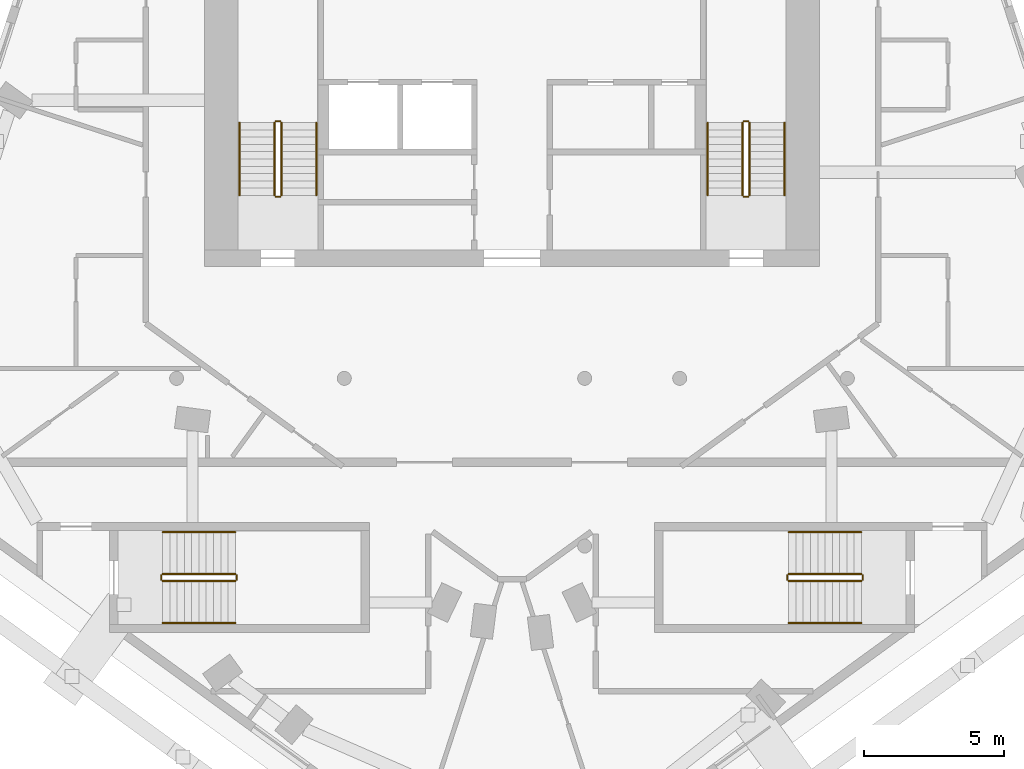
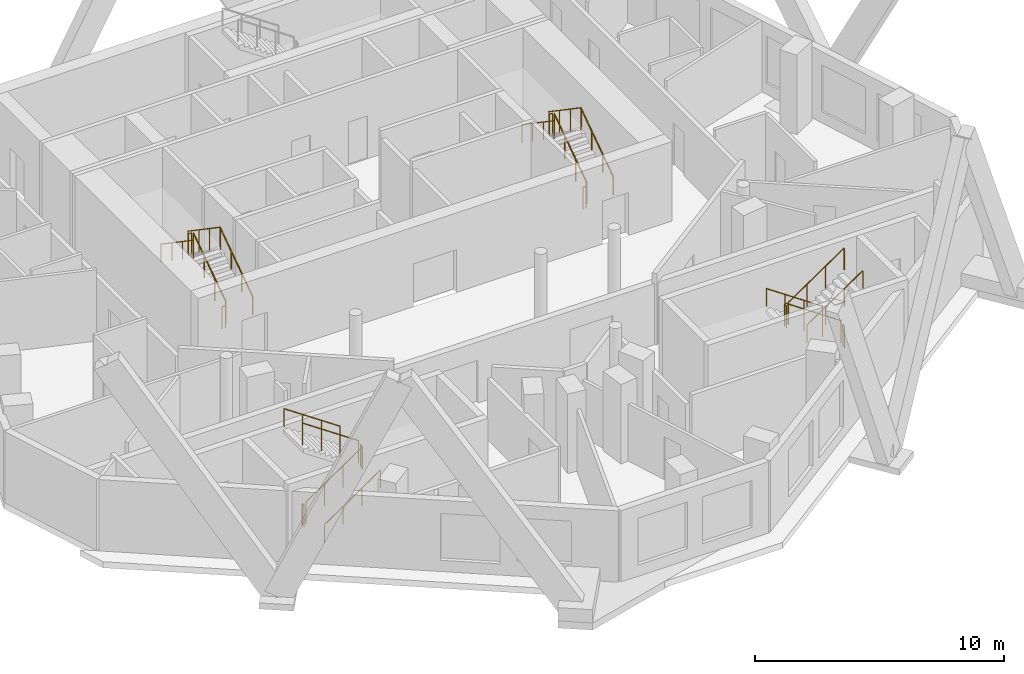
# One storey, part 7 of 8: 24 railings.
"""IFC4 building model written with IfcOpenShell, lengths in metres."""

from ifc_helpers import new_model, si_unit, direction, frame, origin, origin_2d, place, context, subcontext, project, spatial, circle, extrude, material, type_object, element, save


model = new_model("IFC4")

# Units and contexts
model_context = context("Model", 3, precision=1e-05, world=origin(), true_north=direction((0.0, 1.0)))
body_context = subcontext(model_context, "Body", "Model", "MODEL_VIEW")
ifc_project = project(units=[si_unit("LENGTHUNIT", "METRE"), si_unit("AREAUNIT", "SQUARE_METRE"), si_unit("VOLUMEUNIT", "CUBIC_METRE"), si_unit("PLANEANGLEUNIT", "RADIAN"), si_unit("MASSUNIT", "GRAM", prefix="KILO")], contexts=[model_context])

# Site, building, storey
site_placement = place(None, origin())
site = spatial("IfcSite", under=ifc_project, at=site_placement, CompositionType="ELEMENT")
building_placement = place(site_placement, origin())
building = spatial("IfcBuilding", under=site, at=building_placement, Name="White Candle Pilgrim Tower", CompositionType="ELEMENT")
storey_placement = place(building_placement, frame((0.0, 0.0, 317.800048828125)))
storey = spatial("IfcBuildingStorey", under=building, at=storey_placement, Name="L75", CompositionType="ELEMENT", Elevation=317.800048828125)

# Railings
ifc_material = material(Name="Stainless steel", Category="steel")
railing_type_1 = type_object("IfcRailingType", Name="Stair guard stainless steel 1100 mm", PredefinedType="GUARDRAIL", material=ifc_material)
railing_1_placement = place(storey_placement, frame((61.75, 73.550048828125, 0.17724609375)))
element("IfcRailing", 1, at=railing_1_placement, inside=storey, type_object=railing_type_1, Name="L75 ST1 stair guard 1", PredefinedType="GUARDRAIL", context=body_context, shape_type="SweptSolid", body=[
    extrude(circle(Radius=0.02392578125, at=origin_2d()), frame((0.0, 0.0, 1.076171875), z_axis=(0.0, 0.826215852431, 0.563353676824), x_axis=(-1.0, 0.0, 0.0)), (0.0, 0.0, 1.0), 3.146728515625),
    extrude(circle(Radius=0.02099609375, at=origin_2d()), origin(), (0.0, 0.0, 1.0), 1.052001953125),
    extrude(circle(Radius=0.02099609375, at=origin_2d()), frame((0.0, 0.86669921875, 0.5908203125)), (0.0, 0.0, 1.0), 1.052001953125),
    extrude(circle(Radius=0.02099609375, at=origin_2d()), frame((0.0, 1.733154296875, 1.181884765625)), (0.0, 0.0, 1.0), 1.052001953125),
    extrude(circle(Radius=0.02099609375, at=origin_2d()), frame((0.0, 2.599853515625, 1.772705078125)), (0.0, 0.0, 1.0), 1.052001953125),
])
railing_2_placement = place(storey_placement, frame((61.699951171875, 76.199951171875, 1.949951171875)))
element("IfcRailing", 2, at=railing_2_placement, inside=storey, type_object=railing_type_1, Name="L75 ST1 stair guard 2", PredefinedType="GUARDRAIL", context=body_context, shape_type="SweptSolid", body=[
    extrude(circle(Radius=0.02392578125, at=origin_2d()), frame((0.0, 0.0, 1.076171875), z_axis=(-1.0, 0.0, 0.0), x_axis=(0.0, -1.0, 0.0)), (0.0, 0.0, 1.0), 0.14990234375),
    extrude(circle(Radius=0.02099609375, at=origin_2d()), origin(), (0.0, 0.0, 1.0), 1.052001953125),
    extrude(circle(Radius=0.02099609375, at=origin_2d()), frame((-0.14990234375, 0.0, 0.0)), (0.0, 0.0, 1.0), 1.052001953125),
])
railing_3_placement = place(storey_placement, frame((61.5, 76.14990234375, 2.127197265625)))
element("IfcRailing", 3, at=railing_3_placement, inside=storey, type_object=railing_type_1, Name="L75 ST1 stair guard 3", PredefinedType="GUARDRAIL", context=body_context, shape_type="SweptSolid", body=[
    extrude(circle(Radius=0.02392578125, at=origin_2d()), frame((0.0, 0.0, 1.076171875), z_axis=(0.0, -0.826215852431, 0.563353676824), x_axis=(1.0, 0.0, 0.0)), (0.0, 0.0, 1.0), 3.146728515625),
    extrude(circle(Radius=0.02099609375, at=origin_2d()), origin(), (0.0, 0.0, 1.0), 1.052001953125),
    extrude(circle(Radius=0.02099609375, at=origin_2d()), frame((0.0, -0.86669921875, 0.5908203125)), (0.0, 0.0, 1.0), 1.052001953125),
    extrude(circle(Radius=0.02099609375, at=origin_2d()), frame((0.0, -1.733154296875, 1.181884765625)), (0.0, 0.0, 1.0), 1.052001953125),
    extrude(circle(Radius=0.02099609375, at=origin_2d()), frame((0.0, -2.599853515625, 1.772705078125)), (0.0, 0.0, 1.0), 1.052001953125),
])
railing_4_placement = place(storey_placement, frame((61.699951171875, 73.5, 0.0)))
element("IfcRailing", 4, at=railing_4_placement, inside=storey, type_object=railing_type_1, Name="L75 ST1 stair guard 4", PredefinedType="GUARDRAIL", context=body_context, shape_type="SweptSolid", body=[
    extrude(circle(Radius=0.02392578125, at=origin_2d()), frame((0.0, 0.0, 1.076171875), z_axis=(-1.0, 0.0, 0.0), x_axis=(0.0, -1.0, 0.0)), (0.0, 0.0, 1.0), 0.14990234375),
    extrude(circle(Radius=0.02099609375, at=origin_2d()), origin(), (0.0, 0.0, 1.0), 1.052001953125),
    extrude(circle(Radius=0.02099609375, at=origin_2d()), frame((-0.14990234375, 0.0, 0.0)), (0.0, 0.0, 1.0), 1.052001953125),
])
railing_5_placement = place(storey_placement, frame((78.5, 73.550048828125, 0.17724609375)))
element("IfcRailing", 5, at=railing_5_placement, inside=storey, type_object=railing_type_1, Name="L75 ST2 stair guard 1", PredefinedType="GUARDRAIL", context=body_context, shape_type="SweptSolid", body=[
    extrude(circle(Radius=0.02392578125, at=origin_2d()), frame((0.0, 0.0, 1.076171875), z_axis=(0.0, 0.826215852431, 0.563353676824), x_axis=(-1.0, 0.0, 0.0)), (0.0, 0.0, 1.0), 3.146728515625),
    extrude(circle(Radius=0.02099609375, at=origin_2d()), origin(), (0.0, 0.0, 1.0), 1.052001953125),
    extrude(circle(Radius=0.02099609375, at=origin_2d()), frame((0.0, 0.86669921875, 0.5908203125)), (0.0, 0.0, 1.0), 1.052001953125),
    extrude(circle(Radius=0.02099609375, at=origin_2d()), frame((0.0, 1.733154296875, 1.181884765625)), (0.0, 0.0, 1.0), 1.052001953125),
    extrude(circle(Radius=0.02099609375, at=origin_2d()), frame((0.0, 2.599853515625, 1.772705078125)), (0.0, 0.0, 1.0), 1.052001953125),
])
railing_6_placement = place(storey_placement, frame((78.449951171875, 76.199951171875, 1.949951171875)))
element("IfcRailing", 6, at=railing_6_placement, inside=storey, type_object=railing_type_1, Name="L75 ST2 stair guard 2", PredefinedType="GUARDRAIL", context=body_context, shape_type="SweptSolid", body=[
    extrude(circle(Radius=0.02392578125, at=origin_2d()), frame((0.0, 0.0, 1.076171875), z_axis=(-1.0, 0.0, 0.0), x_axis=(0.0, -1.0, 0.0)), (0.0, 0.0, 1.0), 0.14990234375),
    extrude(circle(Radius=0.02099609375, at=origin_2d()), origin(), (0.0, 0.0, 1.0), 1.052001953125),
    extrude(circle(Radius=0.02099609375, at=origin_2d()), frame((-0.14990234375, 0.0, 0.0)), (0.0, 0.0, 1.0), 1.052001953125),
])
railing_7_placement = place(storey_placement, frame((78.25, 76.14990234375, 2.127197265625)))
element("IfcRailing", 7, at=railing_7_placement, inside=storey, type_object=railing_type_1, Name="L75 ST2 stair guard 3", PredefinedType="GUARDRAIL", context=body_context, shape_type="SweptSolid", body=[
    extrude(circle(Radius=0.02392578125, at=origin_2d()), frame((0.0, 0.0, 1.076171875), z_axis=(0.0, -0.826215852431, 0.563353676824), x_axis=(1.0, 0.0, 0.0)), (0.0, 0.0, 1.0), 3.146728515625),
    extrude(circle(Radius=0.02099609375, at=origin_2d()), origin(), (0.0, 0.0, 1.0), 1.052001953125),
    extrude(circle(Radius=0.02099609375, at=origin_2d()), frame((0.0, -0.86669921875, 0.5908203125)), (0.0, 0.0, 1.0), 1.052001953125),
    extrude(circle(Radius=0.02099609375, at=origin_2d()), frame((0.0, -1.733154296875, 1.181884765625)), (0.0, 0.0, 1.0), 1.052001953125),
    extrude(circle(Radius=0.02099609375, at=origin_2d()), frame((0.0, -2.599853515625, 1.772705078125)), (0.0, 0.0, 1.0), 1.052001953125),
])
railing_8_placement = place(storey_placement, frame((78.449951171875, 73.5, 0.0)))
element("IfcRailing", 8, at=railing_8_placement, inside=storey, type_object=railing_type_1, Name="L75 ST2 stair guard 4", PredefinedType="GUARDRAIL", context=body_context, shape_type="SweptSolid", body=[
    extrude(circle(Radius=0.02392578125, at=origin_2d()), frame((0.0, 0.0, 1.076171875), z_axis=(-1.0, 0.0, 0.0), x_axis=(0.0, -1.0, 0.0)), (0.0, 0.0, 1.0), 0.14990234375),
    extrude(circle(Radius=0.02099609375, at=origin_2d()), origin(), (0.0, 0.0, 1.0), 1.052001953125),
    extrude(circle(Radius=0.02099609375, at=origin_2d()), frame((-0.14990234375, 0.0, 0.0)), (0.0, 0.0, 1.0), 1.052001953125),
])
railing_9_placement = place(storey_placement, frame((82.5, 60.0, 0.17724609375)))
element("IfcRailing", 9, at=railing_9_placement, inside=storey, type_object=railing_type_1, Name="L75 ST4 stair guard 1", PredefinedType="GUARDRAIL", context=body_context, shape_type="SweptSolid", body=[
    extrude(circle(Radius=0.02392578125, at=origin_2d()), frame((0.0, 0.0, 1.076171875), z_axis=(-0.826240473404, 0.0, 0.563317565952), x_axis=(0.0, -1.0, 0.0)), (0.0, 0.0, 1.0), 3.14697265625),
    extrude(circle(Radius=0.02099609375, at=origin_2d()), origin(), (0.0, 0.0, 1.0), 1.052001953125),
    extrude(circle(Radius=0.02099609375, at=origin_2d()), frame((-0.86669921875, 0.0, 0.5908203125)), (0.0, 0.0, 1.0), 1.052001953125),
    extrude(circle(Radius=0.02099609375, at=origin_2d()), frame((-1.7333984375, 0.0, 1.181884765625)), (0.0, 0.0, 1.0), 1.052001953125),
    extrude(circle(Radius=0.02099609375, at=origin_2d()), frame((-2.60009765625, 0.0, 1.772705078125)), (0.0, 0.0, 1.0), 1.052001953125),
])
railing_10_placement = place(storey_placement, frame((79.85009765625, 59.949951171875, 1.949951171875)))
element("IfcRailing", 10, at=railing_10_placement, inside=storey, type_object=railing_type_1, Name="L75 ST4 stair guard 2", PredefinedType="GUARDRAIL", context=body_context, shape_type="SweptSolid", body=[
    extrude(circle(Radius=0.02392578125, at=origin_2d()), frame((0.0, 0.0, 1.076171875), z_axis=(0.0, -1.0, 0.0), x_axis=(1.0, 0.0, 0.0)), (0.0, 0.0, 1.0), 0.14990234375),
    extrude(circle(Radius=0.02099609375, at=origin_2d()), origin(), (0.0, 0.0, 1.0), 1.052001953125),
    extrude(circle(Radius=0.02099609375, at=origin_2d()), frame((0.0, -0.14990234375, 0.0)), (0.0, 0.0, 1.0), 1.052001953125),
])
railing_11_placement = place(storey_placement, frame((79.89990234375, 59.75, 2.127197265625)))
element("IfcRailing", 11, at=railing_11_placement, inside=storey, type_object=railing_type_1, Name="L75 ST4 stair guard 3", PredefinedType="GUARDRAIL", context=body_context, shape_type="SweptSolid", body=[
    extrude(circle(Radius=0.02392578125, at=origin_2d()), frame((0.0, 0.0, 1.076171875), z_axis=(0.826240473404, 0.0, 0.563317565952), x_axis=(0.0, 1.0, 0.0)), (0.0, 0.0, 1.0), 3.14697265625),
    extrude(circle(Radius=0.02099609375, at=origin_2d()), origin(), (0.0, 0.0, 1.0), 1.052001953125),
    extrude(circle(Radius=0.02099609375, at=origin_2d()), frame((0.86669921875, 0.0, 0.5908203125)), (0.0, 0.0, 1.0), 1.052001953125),
    extrude(circle(Radius=0.02099609375, at=origin_2d()), frame((1.7333984375, 0.0, 1.181884765625)), (0.0, 0.0, 1.0), 1.052001953125),
    extrude(circle(Radius=0.02099609375, at=origin_2d()), frame((2.60009765625, 0.0, 1.772705078125)), (0.0, 0.0, 1.0), 1.052001953125),
])
railing_12_placement = place(storey_placement, frame((82.550048828125, 59.949951171875, 0.0)))
element("IfcRailing", 12, at=railing_12_placement, inside=storey, type_object=railing_type_1, Name="L75 ST4 stair guard 4", PredefinedType="GUARDRAIL", context=body_context, shape_type="SweptSolid", body=[
    extrude(circle(Radius=0.02392578125, at=origin_2d()), frame((0.0, 0.0, 1.076171875), z_axis=(0.0, -1.0, 0.0), x_axis=(1.0, 0.0, 0.0)), (0.0, 0.0, 1.0), 0.14990234375),
    extrude(circle(Radius=0.02099609375, at=origin_2d()), origin(), (0.0, 0.0, 1.0), 1.052001953125),
    extrude(circle(Radius=0.02099609375, at=origin_2d()), frame((0.0, -0.14990234375, 0.0)), (0.0, 0.0, 1.0), 1.052001953125),
])
railing_13_placement = place(storey_placement, frame((57.5, 59.75, 0.17724609375)))
element("IfcRailing", 13, at=railing_13_placement, inside=storey, type_object=railing_type_1, Name="L75 ST5 stair guard 1", PredefinedType="GUARDRAIL", context=body_context, shape_type="SweptSolid", body=[
    extrude(circle(Radius=0.02392578125, at=origin_2d()), frame((0.0, 0.0, 1.076171875), z_axis=(0.826240473404, 0.0, 0.563317565952), x_axis=(0.0, 1.0, 0.0)), (0.0, 0.0, 1.0), 3.14697265625),
    extrude(circle(Radius=0.02099609375, at=origin_2d()), origin(), (0.0, 0.0, 1.0), 1.052001953125),
    extrude(circle(Radius=0.02099609375, at=origin_2d()), frame((0.86669921875, 0.0, 0.5908203125)), (0.0, 0.0, 1.0), 1.052001953125),
    extrude(circle(Radius=0.02099609375, at=origin_2d()), frame((1.7333984375, 0.0, 1.181884765625)), (0.0, 0.0, 1.0), 1.052001953125),
    extrude(circle(Radius=0.02099609375, at=origin_2d()), frame((2.60009765625, 0.0, 1.772705078125)), (0.0, 0.0, 1.0), 1.052001953125),
])
railing_14_placement = place(storey_placement, frame((60.14990234375, 59.800048828125, 1.949951171875)))
element("IfcRailing", 14, at=railing_14_placement, inside=storey, type_object=railing_type_1, Name="L75 ST5 stair guard 2", PredefinedType="GUARDRAIL", context=body_context, shape_type="SweptSolid", body=[
    extrude(circle(Radius=0.02392578125, at=origin_2d()), frame((0.0, 0.0, 1.076171875), z_axis=(0.0, 1.0, 0.0), x_axis=(-1.0, 0.0, 0.0)), (0.0, 0.0, 1.0), 0.14990234375),
    extrude(circle(Radius=0.02099609375, at=origin_2d()), origin(), (0.0, 0.0, 1.0), 1.052001953125),
    extrude(circle(Radius=0.02099609375, at=origin_2d()), frame((0.0, 0.14990234375, 0.0)), (0.0, 0.0, 1.0), 1.052001953125),
])
railing_15_placement = place(storey_placement, frame((60.10009765625, 60.0, 2.127197265625)))
element("IfcRailing", 15, at=railing_15_placement, inside=storey, type_object=railing_type_1, Name="L75 ST5 stair guard 3", PredefinedType="GUARDRAIL", context=body_context, shape_type="SweptSolid", body=[
    extrude(circle(Radius=0.02392578125, at=origin_2d()), frame((0.0, 0.0, 1.076171875), z_axis=(-0.826240473404, 0.0, 0.563317565952), x_axis=(0.0, -1.0, 0.0)), (0.0, 0.0, 1.0), 3.14697265625),
    extrude(circle(Radius=0.02099609375, at=origin_2d()), origin(), (0.0, 0.0, 1.0), 1.052001953125),
    extrude(circle(Radius=0.02099609375, at=origin_2d()), frame((-0.86669921875, 0.0, 0.5908203125)), (0.0, 0.0, 1.0), 1.052001953125),
    extrude(circle(Radius=0.02099609375, at=origin_2d()), frame((-1.7333984375, 0.0, 1.181884765625)), (0.0, 0.0, 1.0), 1.052001953125),
    extrude(circle(Radius=0.02099609375, at=origin_2d()), frame((-2.60009765625, 0.0, 1.772705078125)), (0.0, 0.0, 1.0), 1.052001953125),
])
railing_16_placement = place(storey_placement, frame((57.449951171875, 59.800048828125, 0.0)))
element("IfcRailing", 16, at=railing_16_placement, inside=storey, type_object=railing_type_1, Name="L75 ST5 stair guard 4", PredefinedType="GUARDRAIL", context=body_context, shape_type="SweptSolid", body=[
    extrude(circle(Radius=0.02392578125, at=origin_2d()), frame((0.0, 0.0, 1.076171875), z_axis=(0.0, 1.0, 0.0), x_axis=(-1.0, 0.0, 0.0)), (0.0, 0.0, 1.0), 0.14990234375),
    extrude(circle(Radius=0.02099609375, at=origin_2d()), origin(), (0.0, 0.0, 1.0), 1.052001953125),
    extrude(circle(Radius=0.02099609375, at=origin_2d()), frame((0.0, 0.14990234375, 0.0)), (0.0, 0.0, 1.0), 1.052001953125),
])
railing_type_2 = type_object("IfcRailingType", Name="Stair handrail stainless steel", PredefinedType="HANDRAIL", material=ifc_material)
railing_17_placement = place(storey_placement, frame((63.0, 73.550048828125, 0.17724609375)))
element("IfcRailing", 17, at=railing_17_placement, inside=storey, type_object=railing_type_2, Name="L75 ST1 stair handrail 1", PredefinedType="HANDRAIL", context=body_context, shape_type="SweptSolid", body=[
    extrude(circle(Radius=0.02392578125, at=origin_2d()), frame((0.0, 0.0, 0.8759765625), z_axis=(0.0, 0.826215852431, 0.563353676824), x_axis=(-1.0, 0.0, 0.0)), (0.0, 0.0, 1.0), 3.146728515625),
    extrude(circle(Radius=0.02099609375, at=origin_2d()), origin(), (0.0, 0.0, 1.0), 0.851806640625),
    extrude(circle(Radius=0.02099609375, at=origin_2d()), frame((0.0, 0.86669921875, 0.5908203125)), (0.0, 0.0, 1.0), 0.851806640625),
    extrude(circle(Radius=0.02099609375, at=origin_2d()), frame((0.0, 1.733154296875, 1.181884765625)), (0.0, 0.0, 1.0), 0.851806640625),
    extrude(circle(Radius=0.02099609375, at=origin_2d()), frame((0.0, 2.599853515625, 1.772705078125)), (0.0, 0.0, 1.0), 0.851806640625),
])
railing_18_placement = place(storey_placement, frame((60.25, 76.14990234375, 2.127197265625)))
element("IfcRailing", 18, at=railing_18_placement, inside=storey, type_object=railing_type_2, Name="L75 ST1 stair handrail 2", PredefinedType="HANDRAIL", context=body_context, shape_type="SweptSolid", body=[
    extrude(circle(Radius=0.02392578125, at=origin_2d()), frame((0.0, 0.0, 0.8759765625), z_axis=(0.0, -0.826215852431, 0.563353676824), x_axis=(1.0, 0.0, 0.0)), (0.0, 0.0, 1.0), 3.146728515625),
    extrude(circle(Radius=0.02099609375, at=origin_2d()), origin(), (0.0, 0.0, 1.0), 0.851806640625),
    extrude(circle(Radius=0.02099609375, at=origin_2d()), frame((0.0, -0.86669921875, 0.5908203125)), (0.0, 0.0, 1.0), 0.851806640625),
    extrude(circle(Radius=0.02099609375, at=origin_2d()), frame((0.0, -1.733154296875, 1.181884765625)), (0.0, 0.0, 1.0), 0.851806640625),
    extrude(circle(Radius=0.02099609375, at=origin_2d()), frame((0.0, -2.599853515625, 1.772705078125)), (0.0, 0.0, 1.0), 0.851806640625),
])
railing_19_placement = place(storey_placement, frame((79.75, 73.550048828125, 0.17724609375)))
element("IfcRailing", 19, at=railing_19_placement, inside=storey, type_object=railing_type_2, Name="L75 ST2 stair handrail 1", PredefinedType="HANDRAIL", context=body_context, shape_type="SweptSolid", body=[
    extrude(circle(Radius=0.02392578125, at=origin_2d()), frame((0.0, 0.0, 0.8759765625), z_axis=(0.0, 0.826215852431, 0.563353676824), x_axis=(-1.0, 0.0, 0.0)), (0.0, 0.0, 1.0), 3.146728515625),
    extrude(circle(Radius=0.02099609375, at=origin_2d()), origin(), (0.0, 0.0, 1.0), 0.851806640625),
    extrude(circle(Radius=0.02099609375, at=origin_2d()), frame((0.0, 0.86669921875, 0.5908203125)), (0.0, 0.0, 1.0), 0.851806640625),
    extrude(circle(Radius=0.02099609375, at=origin_2d()), frame((0.0, 1.733154296875, 1.181884765625)), (0.0, 0.0, 1.0), 0.851806640625),
    extrude(circle(Radius=0.02099609375, at=origin_2d()), frame((0.0, 2.599853515625, 1.772705078125)), (0.0, 0.0, 1.0), 0.851806640625),
])
railing_20_placement = place(storey_placement, frame((77.0, 76.14990234375, 2.127197265625)))
element("IfcRailing", 20, at=railing_20_placement, inside=storey, type_object=railing_type_2, Name="L75 ST2 stair handrail 2", PredefinedType="HANDRAIL", context=body_context, shape_type="SweptSolid", body=[
    extrude(circle(Radius=0.02392578125, at=origin_2d()), frame((0.0, 0.0, 0.8759765625), z_axis=(0.0, -0.826215852431, 0.563353676824), x_axis=(1.0, 0.0, 0.0)), (0.0, 0.0, 1.0), 3.146728515625),
    extrude(circle(Radius=0.02099609375, at=origin_2d()), origin(), (0.0, 0.0, 1.0), 0.851806640625),
    extrude(circle(Radius=0.02099609375, at=origin_2d()), frame((0.0, -0.86669921875, 0.5908203125)), (0.0, 0.0, 1.0), 0.851806640625),
    extrude(circle(Radius=0.02099609375, at=origin_2d()), frame((0.0, -1.733154296875, 1.181884765625)), (0.0, 0.0, 1.0), 0.851806640625),
    extrude(circle(Radius=0.02099609375, at=origin_2d()), frame((0.0, -2.599853515625, 1.772705078125)), (0.0, 0.0, 1.0), 0.851806640625),
])
railing_21_placement = place(storey_placement, frame((82.5, 61.5, 0.17724609375)))
element("IfcRailing", 21, at=railing_21_placement, inside=storey, type_object=railing_type_2, Name="L75 ST4 stair handrail 1", PredefinedType="HANDRAIL", context=body_context, shape_type="SweptSolid", body=[
    extrude(circle(Radius=0.02392578125, at=origin_2d()), frame((0.0, 0.0, 0.8759765625), z_axis=(-0.826240473404, 0.0, 0.563317565952), x_axis=(0.0, -1.0, 0.0)), (0.0, 0.0, 1.0), 3.14697265625),
    extrude(circle(Radius=0.02099609375, at=origin_2d()), origin(), (0.0, 0.0, 1.0), 0.851806640625),
    extrude(circle(Radius=0.02099609375, at=origin_2d()), frame((-0.86669921875, 0.0, 0.5908203125)), (0.0, 0.0, 1.0), 0.851806640625),
    extrude(circle(Radius=0.02099609375, at=origin_2d()), frame((-1.7333984375, 0.0, 1.181884765625)), (0.0, 0.0, 1.0), 0.851806640625),
    extrude(circle(Radius=0.02099609375, at=origin_2d()), frame((-2.60009765625, 0.0, 1.772705078125)), (0.0, 0.0, 1.0), 0.851806640625),
])
for number, where, name in (
    (22, (79.89990234375, 58.25, 2.127197265625), "L75 ST4 stair handrail 2"),
    (23, (57.5, 58.25, 0.17724609375), "L75 ST5 stair handrail 1"),
):
    element("IfcRailing", number, at=place(storey_placement, frame(where)), inside=storey, type_object=railing_type_2, Name=name, PredefinedType="HANDRAIL", context=body_context, shape_type="SweptSolid", body=[
        extrude(circle(Radius=0.02392578125, at=origin_2d()), frame((0.0, 0.0, 0.8759765625), z_axis=(0.826240473404, 0.0, 0.563317565952), x_axis=(0.0, 1.0, 0.0)), (0.0, 0.0, 1.0), 3.14697265625),
        extrude(circle(Radius=0.02099609375, at=origin_2d()), origin(), (0.0, 0.0, 1.0), 0.851806640625),
        extrude(circle(Radius=0.02099609375, at=origin_2d()), frame((0.86669921875, 0.0, 0.5908203125)), (0.0, 0.0, 1.0), 0.851806640625),
        extrude(circle(Radius=0.02099609375, at=origin_2d()), frame((1.7333984375, 0.0, 1.181884765625)), (0.0, 0.0, 1.0), 0.851806640625),
        extrude(circle(Radius=0.02099609375, at=origin_2d()), frame((2.60009765625, 0.0, 1.772705078125)), (0.0, 0.0, 1.0), 0.851806640625),
    ])
railing_22_placement = place(storey_placement, frame((60.10009765625, 61.5, 2.127197265625)))
element("IfcRailing", 24, at=railing_22_placement, inside=storey, type_object=railing_type_2, Name="L75 ST5 stair handrail 2", PredefinedType="HANDRAIL", context=body_context, shape_type="SweptSolid", body=[
    extrude(circle(Radius=0.02392578125, at=origin_2d()), frame((0.0, 0.0, 0.8759765625), z_axis=(-0.826240473404, 0.0, 0.563317565952), x_axis=(0.0, -1.0, 0.0)), (0.0, 0.0, 1.0), 3.14697265625),
    extrude(circle(Radius=0.02099609375, at=origin_2d()), origin(), (0.0, 0.0, 1.0), 0.851806640625),
    extrude(circle(Radius=0.02099609375, at=origin_2d()), frame((-0.86669921875, 0.0, 0.5908203125)), (0.0, 0.0, 1.0), 0.851806640625),
    extrude(circle(Radius=0.02099609375, at=origin_2d()), frame((-1.7333984375, 0.0, 1.181884765625)), (0.0, 0.0, 1.0), 0.851806640625),
    extrude(circle(Radius=0.02099609375, at=origin_2d()), frame((-2.60009765625, 0.0, 1.772705078125)), (0.0, 0.0, 1.0), 0.851806640625),
])

save(model, "model.ifc")
